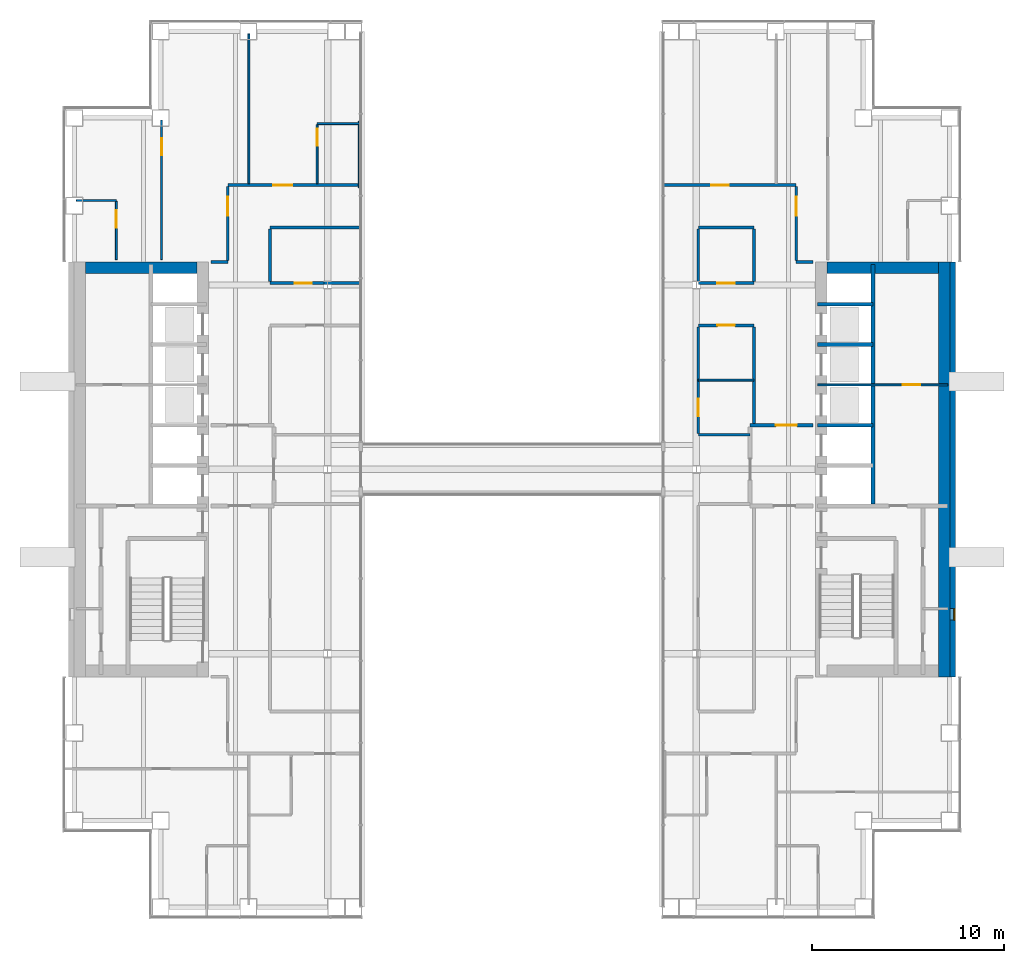
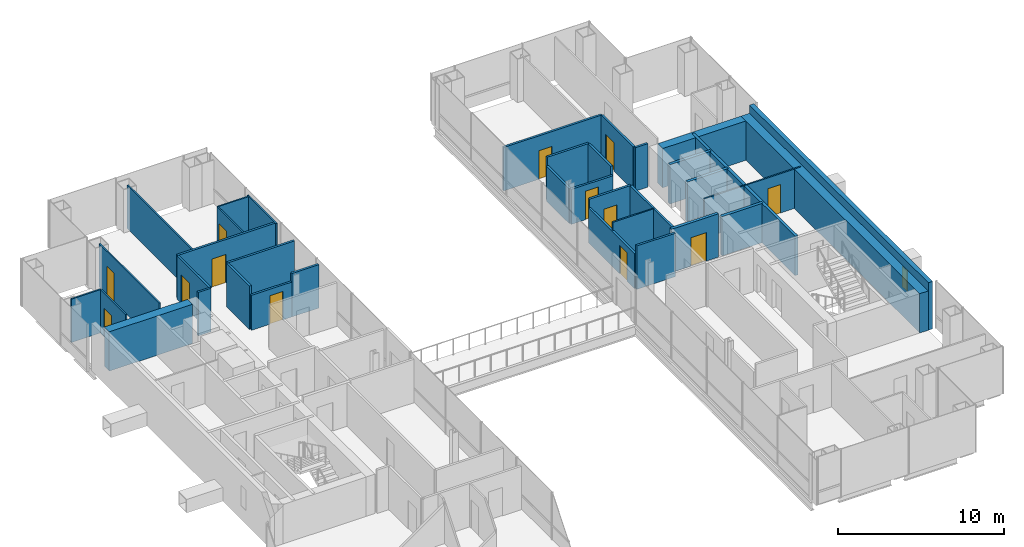
# One storey, part 14 of 17: 37 walls, 13 doors, 1 window, 14 openings.
"""IFC4 building model written with IfcOpenShell, lengths in metres."""

from ifc_helpers import new_model, si_unit, direction, frame, frame_2d, origin, place, context, subcontext, project, spatial, rectangle, extrude, material, layer, layer_set, type_object, element, fill, save


model = new_model("IFC4")

# Units and contexts
model_context = context("Model", 3, precision=1e-05, world=origin(), true_north=direction((0.0, 1.0)))
body_context = subcontext(model_context, "Body", "Model", "MODEL_VIEW")
ifc_project = project(units=[si_unit("LENGTHUNIT", "METRE"), si_unit("AREAUNIT", "SQUARE_METRE"), si_unit("VOLUMEUNIT", "CUBIC_METRE"), si_unit("PLANEANGLEUNIT", "RADIAN"), si_unit("MASSUNIT", "GRAM", prefix="KILO")], contexts=[model_context])

# Site, building, storey
site_placement = place(None, origin())
site = spatial("IfcSite", under=ifc_project, at=site_placement, CompositionType="ELEMENT")
building_placement = place(site_placement, origin())
building = spatial("IfcBuilding", under=site, at=building_placement, Name="Cobrizo Arcos Hotel Tower", CompositionType="ELEMENT")
storey_placement = place(building_placement, frame((0.0, 0.0, 134.5)))
storey = spatial("IfcBuildingStorey", under=building, at=storey_placement, Name="L34", CompositionType="ELEMENT", Elevation=134.5)

# Wall
ifc_material_1 = material(Name="Gypsum board partition")
ifc_layer_1 = layer(ifc_material_1, 0.14990234375)
ifc_layer_set_1 = layer_set([ifc_layer_1], Name="Corridor wall EI 60 150")
wall_type_1 = type_object("IfcWallType", Name="Corridor wall EI 60 150", PredefinedType="PARTITIONING", material=ifc_layer_set_1)
wall_1_placement = place(storey_placement, frame((9.699951171875, 1.800048828125, 0.0), z_axis=(0.0, 0.0, 1.0), x_axis=(1.0, 0.0, 0.0)))
element("IfcWall", 1, at=wall_1_placement, inside=storey, type_object=wall_type_1, Name="Partition 026", PredefinedType="PARTITIONING", context=body_context, shape_type="SweptSolid", body=[
    extrude(rectangle(XDim=2.699951171875, YDim=0.14990234375, at=frame_2d((1.35009765625, 0.0))), origin(), (0.0, 0.0, 1.0), 3.199951171875),
])

# Wall, opening, door
wall_2_placement = place(storey_placement, frame((9.699951171875, 7.5, 0.0), z_axis=(0.0, 0.0, 1.0), x_axis=(1.0, 0.0, 0.0)))
wall_2 = element("IfcWall", 2, at=wall_2_placement, inside=storey, type_object=wall_type_1, Name="Partition 037", PredefinedType="PARTITIONING", context=body_context, shape_type="SweptSolid", body=[
    extrude(rectangle(XDim=2.900146484375, YDim=0.14990234375, at=frame_2d((1.4501953125, 0.0))), origin(), (0.0, 0.0, 1.0), 3.199951171875),
])
opening_1_placement = place(wall_2_placement, frame((1.0, 0.0, 0.0)))
opening_1 = element("IfcOpeningElement", 3, at=opening_1_placement, cuts=wall_2, Name="Opening ED-09", PredefinedType="OPENING", context=body_context, shape_type="SweptSolid", body=[
    extrude(rectangle(XDim=0.89990234375, YDim=2.10009765625, at=frame_2d((0.449951171875, 1.050048828125))), frame((0.0, 0.0869140625, 0.0), z_axis=(0.0, -1.0, 0.0), x_axis=(1.0, 0.0, 0.0)), (0.0, 0.0, 1.0), 0.173828125),
])
ifc_material_2 = material(Name="Timber door leaf", Category="wood")
door_type_1 = type_object("IfcDoorType", Name="En-suite door 900x2100", OperationType="SINGLE_SWING_LEFT", PredefinedType="DOOR", material=ifc_material_2)
door_1_placement = place(opening_1_placement, origin())
door_1 = element("IfcDoor", 4, at=door_1_placement, inside=storey, type_object=door_type_1, Name="Door ED-09", OperationType="SINGLE_SWING_RIGHT", OverallHeight=2.10009765625, OverallWidth=0.89990234375, PredefinedType="DOOR", context=body_context, shape_type="SweptSolid", body=[
    extrude(rectangle(XDim=0.89990234375, YDim=2.10009765625, at=frame_2d((0.449951171875, 1.050048828125))), frame((0.0, 0.02490234375, 0.0), z_axis=(0.0, -1.0, 0.0), x_axis=(1.0, 0.0, 0.0)), (0.0, 0.0, 1.0), 0.050048828125),
])
fill(opening_1, door_1)

wall_3_placement = place(storey_placement, frame((-12.60009765625, 9.699951171875, 0.0), z_axis=(0.0, 0.0, 1.0), x_axis=(1.0, 0.0, 0.0)))
wall_3 = element("IfcWall", 5, at=wall_3_placement, inside=storey, type_object=wall_type_1, Name="Partition 040", PredefinedType="PARTITIONING", context=body_context, shape_type="SweptSolid", body=[
    extrude(rectangle(XDim=2.801025390625, YDim=0.14990234375, at=frame_2d((1.400390625, 0.0))), origin(), (0.0, 0.0, 1.0), 2.577880859375),
])
opening_2_placement = place(wall_3_placement, frame((1.27490234375, 0.0, 0.0)))
opening_2 = element("IfcOpeningElement", 6, at=opening_2_placement, cuts=wall_3, Name="Opening RD-15", PredefinedType="OPENING", context=body_context, shape_type="SweptSolid", body=[
    extrude(rectangle(XDim=0.89990234375, YDim=2.10009765625, at=frame_2d((0.449951171875, 1.050048828125))), frame((0.0, 0.0869140625, 0.0), z_axis=(0.0, -1.0, 0.0), x_axis=(1.0, 0.0, 0.0)), (0.0, 0.0, 1.0), 0.173828125),
])
door_type_2 = type_object("IfcDoorType", Name="Room door FD30 900x2100", OperationType="SINGLE_SWING_LEFT", PredefinedType="DOOR", material=ifc_material_2)
door_2_placement = place(opening_2_placement, origin())
door_2 = element("IfcDoor", 7, at=door_2_placement, inside=storey, type_object=door_type_2, Name="Door RD-15", OperationType="SINGLE_SWING_LEFT", OverallHeight=2.10009765625, OverallWidth=0.89990234375, PredefinedType="DOOR", context=body_context, shape_type="SweptSolid", body=[
    extrude(rectangle(XDim=0.89990234375, YDim=2.10009765625, at=frame_2d((0.449951171875, 1.050048828125))), frame((0.0, 0.02490234375, 0.0), z_axis=(0.0, -1.0, 0.0), x_axis=(1.0, 0.0, 0.0)), (0.0, 0.0, 1.0), 0.050048828125),
])
fill(opening_2, door_2)

# Wall
wall_4_placement = place(storey_placement, frame((-9.79931640625, 9.699951171875, 0.0), z_axis=(0.0, 0.0, 1.0), x_axis=(1.0, 0.0, 0.0)))
element("IfcWall", 8, at=wall_4_placement, inside=storey, type_object=wall_type_1, Name="Partition 041", PredefinedType="PARTITIONING", context=body_context, shape_type="SweptSolid", body=[
    extrude(rectangle(XDim=1.87939453125, YDim=0.14990234375, at=frame_2d((0.939697265625, 0.0))), origin(), (0.0, 0.0, 1.0), 3.199951171875),
])

# Wall, opening, door
wall_5_placement = place(storey_placement, frame((9.699951171875, 9.699951171875, 0.0), z_axis=(0.0, 0.0, 1.0), x_axis=(1.0, 0.0, 0.0)))
wall_5 = element("IfcWall", 9, at=wall_5_placement, inside=storey, type_object=wall_type_1, Name="Partition 042", PredefinedType="PARTITIONING", context=body_context, shape_type="SweptSolid", body=[
    extrude(rectangle(XDim=2.900146484375, YDim=0.14990234375, at=frame_2d((1.4501953125, 0.0))), origin(), (0.0, 0.0, 1.0), 2.577880859375),
])
opening_3_placement = place(wall_5_placement, frame((1.0, 0.0, 0.0)))
opening_3 = element("IfcOpeningElement", 10, at=opening_3_placement, cuts=wall_5, Name="Opening RD-14", PredefinedType="OPENING", context=body_context, shape_type="SweptSolid", body=[
    extrude(rectangle(XDim=0.89990234375, YDim=2.10009765625, at=frame_2d((0.449951171875, 1.050048828125))), frame((0.0, 0.0869140625, 0.0), z_axis=(0.0, -1.0, 0.0), x_axis=(1.0, 0.0, 0.0)), (0.0, 0.0, 1.0), 0.173828125),
])
door_3_placement = place(opening_3_placement, origin())
door_3 = element("IfcDoor", 11, at=door_3_placement, inside=storey, type_object=door_type_2, Name="Door RD-14", OperationType="SINGLE_SWING_LEFT", OverallHeight=2.10009765625, OverallWidth=0.89990234375, PredefinedType="DOOR", context=body_context, shape_type="SweptSolid", body=[
    extrude(rectangle(XDim=0.89990234375, YDim=2.10009765625, at=frame_2d((0.449951171875, 1.050048828125))), frame((0.0, 0.02490234375, 0.0), z_axis=(0.0, -1.0, 0.0), x_axis=(1.0, 0.0, 0.0)), (0.0, 0.0, 1.0), 0.050048828125),
])
fill(opening_3, door_3)

# Walls
for number, where, z_axis, x_axis, name in (
    (12, (-15.679931640625, 10.800048828125, 0.0), (0.0, 0.0, 1.0), (1.0, 0.0, 0.0), "Partition 043"),
    (13, (14.800048828125, 10.800048828125, 0.0), (0.0, 0.0, 1.0), (1.0, 0.0, 0.0), "Partition 044"),
):
    element("IfcWall", number, at=place(storey_placement, frame(where, z_axis=z_axis, x_axis=x_axis)), inside=storey, type_object=wall_type_1, Name=name, PredefinedType="PARTITIONING", context=body_context, shape_type="SweptSolid", body=[
        extrude(rectangle(XDim=0.8798828125, YDim=0.14990234375, at=frame_2d((0.43994140625, 0.0))), origin(), (0.0, 0.0, 1.0), 3.199951171875),
    ])
wall_6_placement = place(storey_placement, frame((-12.60009765625, 12.60009765625, 0.0), z_axis=(0.0, 0.0, 1.0), x_axis=(1.0, 0.0, 0.0)))
element("IfcWall", 14, at=wall_6_placement, inside=storey, type_object=wall_type_1, Name="Partition 045", PredefinedType="PARTITIONING", context=body_context, shape_type="SweptSolid", body=[
    extrude(rectangle(XDim=4.68017578125, YDim=0.14990234375, at=frame_2d((2.340087890625, 0.0))), origin(), (0.0, 0.0, 1.0), 3.199951171875),
])
wall_7_placement = place(storey_placement, frame((9.699951171875, 12.60009765625, 0.0), z_axis=(0.0, 0.0, 1.0), x_axis=(1.0, 0.0, 0.0)))
element("IfcWall", 15, at=wall_7_placement, inside=storey, type_object=wall_type_1, Name="Partition 046", PredefinedType="PARTITIONING", context=body_context, shape_type="SweptSolid", body=[
    extrude(rectangle(XDim=2.900146484375, YDim=0.14990234375, at=frame_2d((1.4501953125, 0.0))), origin(), (0.0, 0.0, 1.0), 3.199951171875),
])

# Wall, opening, door
wall_8_placement = place(storey_placement, frame((-14.800048828125, 14.800048828125, 0.0), z_axis=(0.0, 0.0, 1.0), x_axis=(1.0, 0.0, 0.0)))
wall_8 = element("IfcWall", 16, at=wall_8_placement, inside=storey, type_object=wall_type_1, Name="Partition 049", PredefinedType="PARTITIONING", context=body_context, shape_type="SweptSolid", body=[
    extrude(rectangle(XDim=6.85009765625, YDim=0.14990234375, at=frame_2d((3.425048828125, 0.0))), origin(), (0.0, 0.0, 1.0), 3.199951171875),
])
opening_4_placement = place(wall_8_placement, frame((2.363037109375, 0.0, 0.0)))
opening_4 = element("IfcOpeningElement", 17, at=opening_4_placement, cuts=wall_8, Name="Opening GD-01", PredefinedType="OPENING", context=body_context, shape_type="SweptSolid", body=[
    extrude(rectangle(XDim=1.0, YDim=2.10009765625, at=frame_2d((0.5, 1.050048828125))), frame((0.0, 0.0869140625, 0.0), z_axis=(0.0, -1.0, 0.0), x_axis=(1.0, 0.0, 0.0)), (0.0, 0.0, 1.0), 0.173828125),
])
door_type_3 = type_object("IfcDoorType", Name="Guest room door FD30S 1000x2100", OperationType="SINGLE_SWING_LEFT", PredefinedType="DOOR", material=ifc_material_2)
door_4_placement = place(opening_4_placement, origin())
door_4 = element("IfcDoor", 18, at=door_4_placement, inside=storey, type_object=door_type_3, Name="Door GD-01", OperationType="SINGLE_SWING_LEFT", OverallHeight=2.10009765625, OverallWidth=1.0, PredefinedType="DOOR", context=body_context, shape_type="SweptSolid", body=[
    extrude(rectangle(XDim=1.0, YDim=2.10009765625, at=frame_2d((0.5, 1.050048828125))), frame((0.0, 0.02490234375, 0.0), z_axis=(0.0, -1.0, 0.0), x_axis=(1.0, 0.0, 0.0)), (0.0, 0.0, 1.0), 0.050048828125),
])
fill(opening_4, door_4)

wall_9_placement = place(storey_placement, frame((7.919921875, 14.800048828125, 0.0), z_axis=(0.0, 0.0, 1.0), x_axis=(1.0, 0.0, 0.0)))
wall_9 = element("IfcWall", 19, at=wall_9_placement, inside=storey, type_object=wall_type_1, Name="Partition 050", PredefinedType="PARTITIONING", context=body_context, shape_type="SweptSolid", body=[
    extrude(rectangle(XDim=6.880126953125, YDim=0.14990234375, at=frame_2d((3.43994140625, 0.0))), origin(), (0.0, 0.0, 1.0), 3.199951171875),
])
opening_5_placement = place(wall_9_placement, frame((2.468017578125, 0.0, 0.0)))
opening_5 = element("IfcOpeningElement", 20, at=opening_5_placement, cuts=wall_9, Name="Opening RD-09", PredefinedType="OPENING", context=body_context, shape_type="SweptSolid", body=[
    extrude(rectangle(XDim=0.89990234375, YDim=2.10009765625, at=frame_2d((0.449951171875, 1.050048828125))), frame((0.0, 0.0869140625, 0.0), z_axis=(0.0, -1.0, 0.0), x_axis=(1.0, 0.0, 0.0)), (0.0, 0.0, 1.0), 0.173828125),
])
door_5_placement = place(opening_5_placement, origin())
door_5 = element("IfcDoor", 21, at=door_5_placement, inside=storey, type_object=door_type_2, Name="Door RD-09", OperationType="SINGLE_SWING_LEFT", OverallHeight=2.10009765625, OverallWidth=0.89990234375, PredefinedType="DOOR", context=body_context, shape_type="SweptSolid", body=[
    extrude(rectangle(XDim=0.89990234375, YDim=2.10009765625, at=frame_2d((0.449951171875, 1.050048828125))), frame((0.0, 0.02490234375, 0.0), z_axis=(0.0, -1.0, 0.0), x_axis=(1.0, 0.0, 0.0)), (0.0, 0.0, 1.0), 0.050048828125),
])
fill(opening_5, door_5)

wall_10_placement = place(storey_placement, frame((-14.800048828125, 10.875, 0.0), z_axis=(0.0, 0.0, 1.0), x_axis=(0.0, 1.0, 0.0)))
wall_10 = element("IfcWall", 22, at=wall_10_placement, inside=storey, type_object=wall_type_1, Name="Partition 060", PredefinedType="PARTITIONING", context=body_context, shape_type="SweptSolid", body=[
    extrude(rectangle(XDim=3.85009765625, YDim=0.14990234375, at=frame_2d((1.925048828125, 0.0))), origin(), (0.0, 0.0, 1.0), 3.199951171875),
])
opening_6_placement = place(wall_10_placement, frame((2.324951171875, 0.0, 0.0)))
opening_6 = element("IfcOpeningElement", 23, at=opening_6_placement, cuts=wall_10, Name="Opening GD-05", PredefinedType="OPENING", context=body_context, shape_type="SweptSolid", body=[
    extrude(rectangle(XDim=1.0, YDim=2.10009765625, at=frame_2d((0.5, 1.050048828125))), frame((0.0, 0.0869140625, 0.0), z_axis=(0.0, -1.0, 0.0), x_axis=(1.0, 0.0, 0.0)), (0.0, 0.0, 1.0), 0.173828125),
])
door_6_placement = place(opening_6_placement, origin())
door_6 = element("IfcDoor", 24, at=door_6_placement, inside=storey, type_object=door_type_3, Name="Door GD-05", OperationType="SINGLE_SWING_RIGHT", OverallHeight=2.10009765625, OverallWidth=1.0, PredefinedType="DOOR", context=body_context, shape_type="SweptSolid", body=[
    extrude(rectangle(XDim=1.0, YDim=2.10009765625, at=frame_2d((0.5, 1.050048828125))), frame((0.0, 0.02490234375, 0.0), z_axis=(0.0, -1.0, 0.0), x_axis=(1.0, 0.0, 0.0)), (0.0, 0.0, 1.0), 0.050048828125),
])
fill(opening_6, door_6)

# Wall
wall_11_placement = place(storey_placement, frame((-12.60009765625, 9.77490234375, 0.0), z_axis=(0.0, 0.0, 1.0), x_axis=(0.0, 1.0, 0.0)))
element("IfcWall", 25, at=wall_11_placement, inside=storey, type_object=wall_type_1, Name="Partition 065", PredefinedType="PARTITIONING", context=body_context, shape_type="SweptSolid", body=[
    extrude(rectangle(XDim=2.75, YDim=0.14990234375, at=frame_2d((1.375, 0.0))), origin(), (0.0, 0.0, 1.0), 3.199951171875),
])

# Wall, opening, door
wall_12_placement = place(storey_placement, frame((9.699951171875, 1.875, 0.0), z_axis=(0.0, 0.0, 1.0), x_axis=(0.0, 1.0, 0.0)))
wall_12 = element("IfcWall", 26, at=wall_12_placement, inside=storey, type_object=wall_type_1, Name="Partition 074", PredefinedType="PARTITIONING", context=body_context, shape_type="SweptSolid", body=[
    extrude(rectangle(XDim=5.550048828125, YDim=0.14990234375, at=frame_2d((2.77490234375, 0.0))), origin(), (0.0, 0.0, 1.0), 2.577880859375),
])
opening_7_placement = place(wall_12_placement, frame((0.89990234375, 0.0, 0.0)))
opening_7 = element("IfcOpeningElement", 27, at=opening_7_placement, cuts=wall_12, Name="Opening ED-08", PredefinedType="OPENING", context=body_context, shape_type="SweptSolid", body=[
    extrude(rectangle(XDim=0.89990234375, YDim=2.10009765625, at=frame_2d((0.449951171875, 1.050048828125))), frame((0.0, 0.0869140625, 0.0), z_axis=(0.0, -1.0, 0.0), x_axis=(1.0, 0.0, 0.0)), (0.0, 0.0, 1.0), 0.173828125),
])
door_7_placement = place(opening_7_placement, origin())
door_7 = element("IfcDoor", 28, at=door_7_placement, inside=storey, type_object=door_type_1, Name="Door ED-08", OperationType="SINGLE_SWING_LEFT", OverallHeight=2.10009765625, OverallWidth=0.89990234375, PredefinedType="DOOR", context=body_context, shape_type="SweptSolid", body=[
    extrude(rectangle(XDim=0.89990234375, YDim=2.10009765625, at=frame_2d((0.449951171875, 1.050048828125))), frame((0.0, 0.02490234375, 0.0), z_axis=(0.0, -1.0, 0.0), x_axis=(1.0, 0.0, 0.0)), (0.0, 0.0, 1.0), 0.050048828125),
])
fill(opening_7, door_7)

# Walls
wall_13_placement = place(storey_placement, frame((9.699951171875, 9.77490234375, 0.0), z_axis=(0.0, 0.0, 1.0), x_axis=(0.0, 1.0, 0.0)))
element("IfcWall", 29, at=wall_13_placement, inside=storey, type_object=wall_type_1, Name="Partition 075", PredefinedType="PARTITIONING", context=body_context, shape_type="SweptSolid", body=[
    extrude(rectangle(XDim=2.75, YDim=0.14990234375, at=frame_2d((1.375, 0.0))), origin(), (0.0, 0.0, 1.0), 2.577880859375),
])
wall_14_placement = place(storey_placement, frame((12.60009765625, 2.39990234375, 0.0), z_axis=(0.0, 0.0, 1.0), x_axis=(0.0, 1.0, 0.0)))
element("IfcWall", 30, at=wall_14_placement, inside=storey, type_object=wall_type_1, Name="Partition 079", PredefinedType="PARTITIONING", context=body_context, shape_type="SweptSolid", body=[
    extrude(rectangle(XDim=5.025146484375, YDim=0.14990234375, at=frame_2d((2.5126953125, 0.0))), origin(), (0.0, 0.0, 1.0), 3.199951171875),
])
wall_15_placement = place(storey_placement, frame((12.60009765625, 9.77490234375, 0.0), z_axis=(0.0, 0.0, 1.0), x_axis=(0.0, 1.0, 0.0)))
element("IfcWall", 31, at=wall_15_placement, inside=storey, type_object=wall_type_1, Name="Partition 080", PredefinedType="PARTITIONING", context=body_context, shape_type="SweptSolid", body=[
    extrude(rectangle(XDim=2.75, YDim=0.14990234375, at=frame_2d((1.375, 0.0))), origin(), (0.0, 0.0, 1.0), 3.199951171875),
])

# Wall, opening, door
wall_16_placement = place(storey_placement, frame((14.800048828125, 10.875, 0.0), z_axis=(0.0, 0.0, 1.0), x_axis=(0.0, 1.0, 0.0)))
wall_16 = element("IfcWall", 32, at=wall_16_placement, inside=storey, type_object=wall_type_1, Name="Partition 084", PredefinedType="PARTITIONING", context=body_context, shape_type="SweptSolid", body=[
    extrude(rectangle(XDim=3.85009765625, YDim=0.14990234375, at=frame_2d((1.925048828125, 0.0))), origin(), (0.0, 0.0, 1.0), 3.199951171875),
])
opening_8_placement = place(wall_16_placement, frame((2.324951171875, 0.0, 0.0)))
opening_8 = element("IfcOpeningElement", 33, at=opening_8_placement, cuts=wall_16, Name="Opening GD-07", PredefinedType="OPENING", context=body_context, shape_type="SweptSolid", body=[
    extrude(rectangle(XDim=1.0, YDim=2.10009765625, at=frame_2d((0.5, 1.050048828125))), frame((0.0, 0.0869140625, 0.0), z_axis=(0.0, -1.0, 0.0), x_axis=(1.0, 0.0, 0.0)), (0.0, 0.0, 1.0), 0.173828125),
])
door_8_placement = place(opening_8_placement, origin())
door_8 = element("IfcDoor", 34, at=door_8_placement, inside=storey, type_object=door_type_3, Name="Door GD-07", OperationType="SINGLE_SWING_LEFT", OverallHeight=2.10009765625, OverallWidth=1.0, PredefinedType="DOOR", context=body_context, shape_type="SweptSolid", body=[
    extrude(rectangle(XDim=1.0, YDim=2.10009765625, at=frame_2d((0.5, 1.050048828125))), frame((0.0, 0.02490234375, 0.0), z_axis=(0.0, -1.0, 0.0), x_axis=(1.0, 0.0, 0.0)), (0.0, 0.0, 1.0), 0.050048828125),
])
fill(opening_8, door_8)

# Wall, opening, window
ifc_material_3 = material(Name="Aluminium composite panel pale metal", Category="aluminium")
ifc_layer_2 = layer(ifc_material_3, 0.300048828125)
ifc_layer_set_2 = layer_set([ifc_layer_2], Name="EW-1 insulated panel wall 300")
wall_type_2 = type_object("IfcWallType", Name="EW-1 insulated panel wall 300", PredefinedType="SOLIDWALL", material=ifc_layer_set_2)
wall_17_placement = place(storey_placement, frame((22.949951171875, -10.800048828125, 0.0), z_axis=(0.0, 0.0, 1.0), x_axis=(0.0, 1.0, 0.0)))
wall_17 = element("IfcWall", 35, at=wall_17_placement, inside=storey, type_object=wall_type_2, Name="Core face wall L34 E", PredefinedType="SOLIDWALL", context=body_context, shape_type="SweptSolid", body=[
    extrude(rectangle(XDim=21.60009765625, YDim=0.300048828125, at=frame_2d((10.800048828125, 0.0))), origin(), (0.0, 0.0, 1.0), 3.5),
])
opening_9_placement = place(wall_17_placement, frame((2.949951171875, 0.0, 1.0)))
opening_9 = element("IfcOpeningElement", 36, at=opening_9_placement, cuts=wall_17, Name="Opening W-69", PredefinedType="OPENING", context=body_context, shape_type="SweptSolid", body=[
    extrude(rectangle(XDim=0.60009765625, YDim=1.5, at=frame_2d((0.300048828125, 0.75))), frame((0.0, 0.162109375, 0.0), z_axis=(0.0, -1.0, 0.0), x_axis=(1.0, 0.0, 0.0)), (0.0, 0.0, 1.0), 0.323974609375),
])
ifc_material_4 = material(Name="Aluminium 6063-T6 and clear laminated glass", Category="aluminium")
window_type = type_object("IfcWindowType", Name="W-C1 core stair slot window 600x1500", PartitioningType="SINGLE_PANEL", PredefinedType="WINDOW", material=ifc_material_4)
window_placement = place(opening_9_placement, origin())
window = element("IfcWindow", 37, at=window_placement, inside=storey, type_object=window_type, Name="Core face wall L34 E window W-69", OverallHeight=1.5, OverallWidth=0.60009765625, PartitioningType="SINGLE_PANEL", PredefinedType="WINDOW", context=body_context, shape_type="SweptSolid", body=[
    extrude(rectangle(XDim=0.60009765625, YDim=1.5, at=frame_2d((0.300048828125, 0.75))), frame((0.0, -0.06005859375, 0.0), z_axis=(0.0, -1.0, 0.0), x_axis=(1.0, 0.0, 0.0)), (0.0, 0.0, 1.0), 0.06005859375),
])
fill(opening_9, window)

# Wall, opening, door
ifc_layer_3 = layer(ifc_material_1, 0.10009765625)
ifc_layer_set_3 = layer_set([ifc_layer_3], Name="Partition EI 30 100")
wall_type_3 = type_object("IfcWallType", Name="Partition EI 30 100", PredefinedType="PARTITIONING", material=ifc_layer_set_3)
wall_18_placement = place(storey_placement, frame((15.919921875, 4.39990234375, 0.0), z_axis=(0.0, 0.0, 1.0), x_axis=(1.0, 0.0, 0.0)))
wall_18 = element("IfcWall", 38, at=wall_18_placement, inside=storey, type_object=wall_type_3, Name="Partition 032", PredefinedType="PARTITIONING", context=body_context, shape_type="SweptSolid", body=[
    extrude(rectangle(XDim=6.760009765625, YDim=0.10009765625, at=frame_2d((3.3798828125, 0.0))), origin(), (0.0, 0.0, 1.0), 2.89990234375),
])
opening_10_placement = place(wall_18_placement, frame((4.429931640625, 0.0, 0.0)))
opening_10 = element("IfcOpeningElement", 39, at=opening_10_placement, cuts=wall_18, Name="Opening RD-08", PredefinedType="OPENING", context=body_context, shape_type="SweptSolid", body=[
    extrude(rectangle(XDim=0.89990234375, YDim=2.10009765625, at=frame_2d((0.449951171875, 1.050048828125))), frame((0.0, 0.06201171875, 0.0), z_axis=(0.0, -1.0, 0.0), x_axis=(1.0, 0.0, 0.0)), (0.0, 0.0, 1.0), 0.1240234375),
])
door_9_placement = place(opening_10_placement, origin())
door_9 = element("IfcDoor", 40, at=door_9_placement, inside=storey, type_object=door_type_2, Name="Door RD-08", OperationType="SINGLE_SWING_LEFT", OverallHeight=2.10009765625, OverallWidth=0.89990234375, PredefinedType="DOOR", context=body_context, shape_type="SweptSolid", body=[
    extrude(rectangle(XDim=0.89990234375, YDim=2.10009765625, at=frame_2d((0.449951171875, 1.050048828125))), frame((0.0, 0.02490234375, 0.0), z_axis=(0.0, -1.0, 0.0), x_axis=(1.0, 0.0, 0.0)), (0.0, 0.0, 1.0), 0.050048828125),
])
fill(opening_10, door_9)

# Walls
wall_19_placement = place(storey_placement, frame((9.699951171875, 4.64990234375, 0.0), z_axis=(0.0, 0.0, 1.0), x_axis=(1.0, 0.0, 0.0)))
element("IfcWall", 41, at=wall_19_placement, inside=storey, type_object=wall_type_3, Name="Partition 033", PredefinedType="PARTITIONING", context=body_context, shape_type="SweptSolid", body=[
    extrude(rectangle(XDim=2.900146484375, YDim=0.10009765625, at=frame_2d((1.4501953125, 0.0))), origin(), (0.0, 0.0, 1.0), 3.199951171875),
])
wall_20_placement = place(storey_placement, frame((-22.679931640625, 14.0, 0.0), z_axis=(0.0, 0.0, 1.0), x_axis=(1.0, 0.0, 0.0)))
element("IfcWall", 42, at=wall_20_placement, inside=storey, type_object=wall_type_3, Name="Partition 047", PredefinedType="PARTITIONING", context=body_context, shape_type="SweptSolid", body=[
    extrude(rectangle(XDim=2.079833984375, YDim=0.10009765625, at=frame_2d((1.0400390625, 0.0))), origin(), (0.0, 0.0, 1.0), 3.199951171875),
])
wall_21_placement = place(storey_placement, frame((-10.14990234375, 18.0, 0.0), z_axis=(0.0, 0.0, 1.0), x_axis=(1.0, 0.0, 0.0)))
element("IfcWall", 43, at=wall_21_placement, inside=storey, type_object=wall_type_3, Name="Partition 051", PredefinedType="PARTITIONING", context=body_context, shape_type="SweptSolid", body=[
    extrude(rectangle(XDim=2.199951171875, YDim=0.10009765625, at=frame_2d((1.10009765625, 0.0))), origin(), (0.0, 0.0, 1.0), 3.199951171875),
])

# Wall, opening, door
wall_22_placement = place(storey_placement, frame((-20.60009765625, 10.919921875, 0.0), z_axis=(0.0, 0.0, 1.0), x_axis=(0.0, 1.0, 0.0)))
wall_22 = element("IfcWall", 44, at=wall_22_placement, inside=storey, type_object=wall_type_3, Name="Partition 053", PredefinedType="PARTITIONING", context=body_context, shape_type="SweptSolid", body=[
    extrude(rectangle(XDim=3.030029296875, YDim=0.10009765625, at=frame_2d((1.51513671875, 0.0))), origin(), (0.0, 0.0, 1.0), 3.199951171875),
])
opening_11_placement = place(wall_22_placement, frame((1.669921875, 0.0, 0.0)))
opening_11 = element("IfcOpeningElement", 45, at=opening_11_placement, cuts=wall_22, Name="Opening ED-05", PredefinedType="OPENING", context=body_context, shape_type="SweptSolid", body=[
    extrude(rectangle(XDim=0.89990234375, YDim=2.10009765625, at=frame_2d((0.449951171875, 1.050048828125))), frame((0.0, 0.06201171875, 0.0), z_axis=(0.0, -1.0, 0.0), x_axis=(1.0, 0.0, 0.0)), (0.0, 0.0, 1.0), 0.1240234375),
])
door_10_placement = place(opening_11_placement, origin())
door_10 = element("IfcDoor", 46, at=door_10_placement, inside=storey, type_object=door_type_1, Name="Door ED-05", OperationType="SINGLE_SWING_LEFT", OverallHeight=2.10009765625, OverallWidth=0.89990234375, PredefinedType="DOOR", context=body_context, shape_type="SweptSolid", body=[
    extrude(rectangle(XDim=0.89990234375, YDim=2.10009765625, at=frame_2d((0.449951171875, 1.050048828125))), frame((0.0, 0.02490234375, 0.0), z_axis=(0.0, -1.0, 0.0), x_axis=(1.0, 0.0, 0.0)), (0.0, 0.0, 1.0), 0.050048828125),
])
fill(opening_11, door_10)

wall_23_placement = place(storey_placement, frame((-18.25, 10.919921875, 0.0), z_axis=(0.0, 0.0, 1.0), x_axis=(0.0, 1.0, 0.0)))
wall_23 = element("IfcWall", 47, at=wall_23_placement, inside=storey, type_object=wall_type_3, Name="Partition 057", PredefinedType="PARTITIONING", context=body_context, shape_type="SweptSolid", body=[
    extrude(rectangle(XDim=7.27099609375, YDim=0.10009765625, at=frame_2d((3.635498046875, 0.0))), origin(), (0.0, 0.0, 1.0), 3.199951171875),
])
opening_12_placement = place(wall_23_placement, frame((5.429931640625, 0.0, 0.0)))
opening_12 = element("IfcOpeningElement", 48, at=opening_12_placement, cuts=wall_23, Name="Opening RD-11", PredefinedType="OPENING", context=body_context, shape_type="SweptSolid", body=[
    extrude(rectangle(XDim=0.89990234375, YDim=2.10009765625, at=frame_2d((0.449951171875, 1.050048828125))), frame((0.0, 0.06201171875, 0.0), z_axis=(0.0, -1.0, 0.0), x_axis=(1.0, 0.0, 0.0)), (0.0, 0.0, 1.0), 0.1240234375),
])
door_11_placement = place(opening_12_placement, origin())
door_11 = element("IfcDoor", 49, at=door_11_placement, inside=storey, type_object=door_type_2, Name="Door RD-11", OperationType="SINGLE_SWING_RIGHT", OverallHeight=2.10009765625, OverallWidth=0.89990234375, PredefinedType="DOOR", context=body_context, shape_type="SweptSolid", body=[
    extrude(rectangle(XDim=0.89990234375, YDim=2.10009765625, at=frame_2d((0.449951171875, 1.050048828125))), frame((0.0, 0.02490234375, 0.0), z_axis=(0.0, -1.0, 0.0), x_axis=(1.0, 0.0, 0.0)), (0.0, 0.0, 1.0), 0.050048828125),
])
fill(opening_12, door_11)

# Wall
wall_24_placement = place(storey_placement, frame((-13.699951171875, 14.875, 0.0), z_axis=(0.0, 0.0, 1.0), x_axis=(0.0, 1.0, 0.0)))
element("IfcWall", 50, at=wall_24_placement, inside=storey, type_object=wall_type_3, Name="Partition 062", PredefinedType="PARTITIONING", context=body_context, shape_type="SweptSolid", body=[
    extrude(rectangle(XDim=7.804931640625, YDim=0.10009765625, at=frame_2d((3.90234375, 0.0))), origin(), (0.0, 0.0, 1.0), 3.199951171875),
])

# Wall, opening, door
wall_25_placement = place(storey_placement, frame((-10.14990234375, 14.875, 0.0), z_axis=(0.0, 0.0, 1.0), x_axis=(0.0, 1.0, 0.0)))
wall_25 = element("IfcWall", 51, at=wall_25_placement, inside=storey, type_object=wall_type_3, Name="Partition 068", PredefinedType="PARTITIONING", context=body_context, shape_type="SweptSolid", body=[
    extrude(rectangle(XDim=3.074951171875, YDim=0.10009765625, at=frame_2d((1.53759765625, 0.0))), origin(), (0.0, 0.0, 1.0), 3.199951171875),
])
opening_13_placement = place(wall_25_placement, frame((1.970947265625, 0.0, 0.0)))
opening_13 = element("IfcOpeningElement", 52, at=opening_13_placement, cuts=wall_25, Name="Opening ED-01", PredefinedType="OPENING", context=body_context, shape_type="SweptSolid", body=[
    extrude(rectangle(XDim=0.89990234375, YDim=2.10009765625, at=frame_2d((0.449951171875, 1.050048828125))), frame((0.0, 0.06201171875, 0.0), z_axis=(0.0, -1.0, 0.0), x_axis=(1.0, 0.0, 0.0)), (0.0, 0.0, 1.0), 0.1240234375),
])
door_12_placement = place(opening_13_placement, origin())
door_12 = element("IfcDoor", 53, at=door_12_placement, inside=storey, type_object=door_type_1, Name="Door ED-01", OperationType="SINGLE_SWING_LEFT", OverallHeight=2.10009765625, OverallWidth=0.89990234375, PredefinedType="DOOR", context=body_context, shape_type="SweptSolid", body=[
    extrude(rectangle(XDim=0.89990234375, YDim=2.10009765625, at=frame_2d((0.449951171875, 1.050048828125))), frame((0.0, 0.02490234375, 0.0), z_axis=(0.0, -1.0, 0.0), x_axis=(1.0, 0.0, 0.0)), (0.0, 0.0, 1.0), 0.050048828125),
])
fill(opening_13, door_12)

# Walls
wall_26_placement = place(storey_placement, frame((-7.949951171875, 14.659912109375, 0.0), z_axis=(0.0, 0.0, 1.0), x_axis=(0.0, 1.0, 0.0)))
element("IfcWall", 54, at=wall_26_placement, inside=storey, type_object=wall_type_3, Name="Partition 069", PredefinedType="PARTITIONING", context=body_context, shape_type="SweptSolid", body=[
    extrude(rectangle(XDim=3.47998046875, YDim=0.10009765625, at=frame_2d((1.739990234375, 0.0))), origin(), (0.0, 0.0, 1.0), 3.199951171875),
])
ifc_material_5 = material(Name="Concrete f'c 50 MPa", Category="concrete")
ifc_layer_4 = layer(ifc_material_5, 0.60009765625)
ifc_layer_set_4 = layer_set([ifc_layer_4], Name="RC core wall 600 f'c 50")
wall_type_4 = type_object("IfcWallType", Name="RC core wall 600 f'c 50", PredefinedType="SHEAR", material=ifc_layer_set_4)
wall_27_placement = place(storey_placement, frame((22.5, -10.800048828125, 0.0), z_axis=(0.0, 0.0, 1.0), x_axis=(0.0, 1.0, 0.0)))
element("IfcWall", 55, at=wall_27_placement, inside=storey, type_object=wall_type_4, Name="Core wall CW2, east core, outer face, L34", PredefinedType="SHEAR", context=body_context, shape_type="SweptSolid", body=[
    extrude(rectangle(XDim=21.60009765625, YDim=0.60009765625, at=frame_2d((10.800048828125, 0.0))), origin(), (0.0, 0.0, 1.0), 2.89990234375),
])
for number, where, z_axis, x_axis, name in (
    (56, (16.39990234375, 10.5, 0.0), (0.0, 0.0, 1.0), (1.0, 0.0, 0.0), "Core wall CW2, east core, north end, L34"),
    (57, (-22.199951171875, 10.5, 0.0), (0.0, 0.0, 1.0), (1.0, 0.0, 0.0), "Core wall CW2, west core, north end, L34"),
):
    element("IfcWall", number, at=place(storey_placement, frame(where, z_axis=z_axis, x_axis=x_axis)), inside=storey, type_object=wall_type_4, Name=name, PredefinedType="SHEAR", context=body_context, shape_type="SweptSolid", body=[
        extrude(rectangle(XDim=5.800048828125, YDim=0.60009765625, at=frame_2d((2.89990234375, 0.0))), origin(), (0.0, 0.0, 1.0), 2.89990234375),
    ])

# Wall, opening, door
ifc_layer_5 = layer(ifc_material_1, 0.199951171875)
ifc_layer_set_5 = layer_set([ifc_layer_5], Name="Shaft wall EI 120 200")
wall_type_5 = type_object("IfcWallType", Name="Shaft wall EI 120 200", PredefinedType="PARTITIONING", material=ifc_layer_set_5)
wall_28_placement = place(storey_placement, frame((12.39990234375, 2.300048828125, 0.0), z_axis=(0.0, 0.0, 1.0), x_axis=(1.0, 0.0, 0.0)))
wall_28 = element("IfcWall", 58, at=wall_28_placement, inside=storey, type_object=wall_type_5, Name="Partition 029", PredefinedType="PARTITIONING", context=body_context, shape_type="SweptSolid", body=[
    extrude(rectangle(XDim=3.280029296875, YDim=0.199951171875, at=frame_2d((1.64013671875, 0.0))), origin(), (0.0, 0.0, 1.0), 3.199951171875),
])
opening_14_placement = place(wall_28_placement, frame((1.340087890625, 0.0, 0.0)))
opening_14 = element("IfcOpeningElement", 59, at=opening_14_placement, cuts=wall_28, Name="Opening FD-08", PredefinedType="OPENING", context=body_context, shape_type="SweptSolid", body=[
    extrude(rectangle(XDim=1.10009765625, YDim=2.10009765625, at=frame_2d((0.550048828125, 1.050048828125))), frame((0.0, 0.112060546875, 0.0), z_axis=(0.0, -1.0, 0.0), x_axis=(1.0, 0.0, 0.0)), (0.0, 0.0, 1.0), 0.223876953125),
])
ifc_material_6 = material(Name="Steel door leaf", Category="steel")
door_type_4 = type_object("IfcDoorType", Name="Fire door FD60 1100x2100", OperationType="SINGLE_SWING_LEFT", PredefinedType="DOOR", material=ifc_material_6)
door_13_placement = place(opening_14_placement, origin())
door_13 = element("IfcDoor", 60, at=door_13_placement, inside=storey, type_object=door_type_4, Name="Door FD-08", OperationType="SINGLE_SWING_LEFT", OverallHeight=2.10009765625, OverallWidth=1.10009765625, PredefinedType="DOOR", context=body_context, shape_type="SweptSolid", body=[
    extrude(rectangle(XDim=1.10009765625, YDim=2.10009765625, at=frame_2d((0.550048828125, 1.050048828125))), frame((0.0, 0.02490234375, 0.0), z_axis=(0.0, -1.0, 0.0), x_axis=(1.0, 0.0, 0.0)), (0.0, 0.0, 1.0), 0.050048828125),
])
fill(opening_14, door_13)

# Walls
for number, where, z_axis, x_axis, name in (
    (61, (15.919921875, 2.300048828125, 0.0), (0.0, 0.0, 1.0), (1.0, 0.0, 0.0), "Partition 030"),
    (62, (15.919921875, 6.5, 0.0), (0.0, 0.0, 1.0), (1.0, 0.0, 0.0), "Partition 035"),
    (63, (15.919921875, 8.60009765625, 0.0), (0.0, 0.0, 1.0), (1.0, 0.0, 0.0), "Partition 039"),
):
    element("IfcWall", number, at=place(storey_placement, frame(where, z_axis=z_axis, x_axis=x_axis)), inside=storey, type_object=wall_type_5, Name=name, PredefinedType="PARTITIONING", context=body_context, shape_type="SweptSolid", body=[
        extrude(rectangle(XDim=2.880126953125, YDim=0.199951171875, at=frame_2d((1.43994140625, 0.0))), origin(), (0.0, 0.0, 1.0), 2.89990234375),
    ])
wall_29_placement = place(storey_placement, frame((18.800048828125, -1.800048828125, 0.0), z_axis=(0.0, 0.0, 1.0), x_axis=(0.0, 1.0, 0.0)))
element("IfcWall", 64, at=wall_29_placement, inside=storey, type_object=wall_type_5, Name="Partition 087", PredefinedType="PARTITIONING", context=body_context, shape_type="SweptSolid", body=[
    extrude(rectangle(XDim=6.150146484375, YDim=0.199951171875, at=frame_2d((3.0751953125, 0.0))), origin(), (0.0, 0.0, 1.0), 2.89990234375),
])
wall_30_placement = place(storey_placement, frame((18.800048828125, 4.449951171875, 0.0), z_axis=(0.0, 0.0, 1.0), x_axis=(0.0, 1.0, 0.0)))
element("IfcWall", 65, at=wall_30_placement, inside=storey, type_object=wall_type_5, Name="Partition 088", PredefinedType="PARTITIONING", context=body_context, shape_type="SweptSolid", body=[
    extrude(rectangle(XDim=6.22998046875, YDim=0.199951171875, at=frame_2d((3.114990234375, 0.0))), origin(), (0.0, 0.0, 1.0), 2.89990234375),
])

save(model, "model.ifc")
